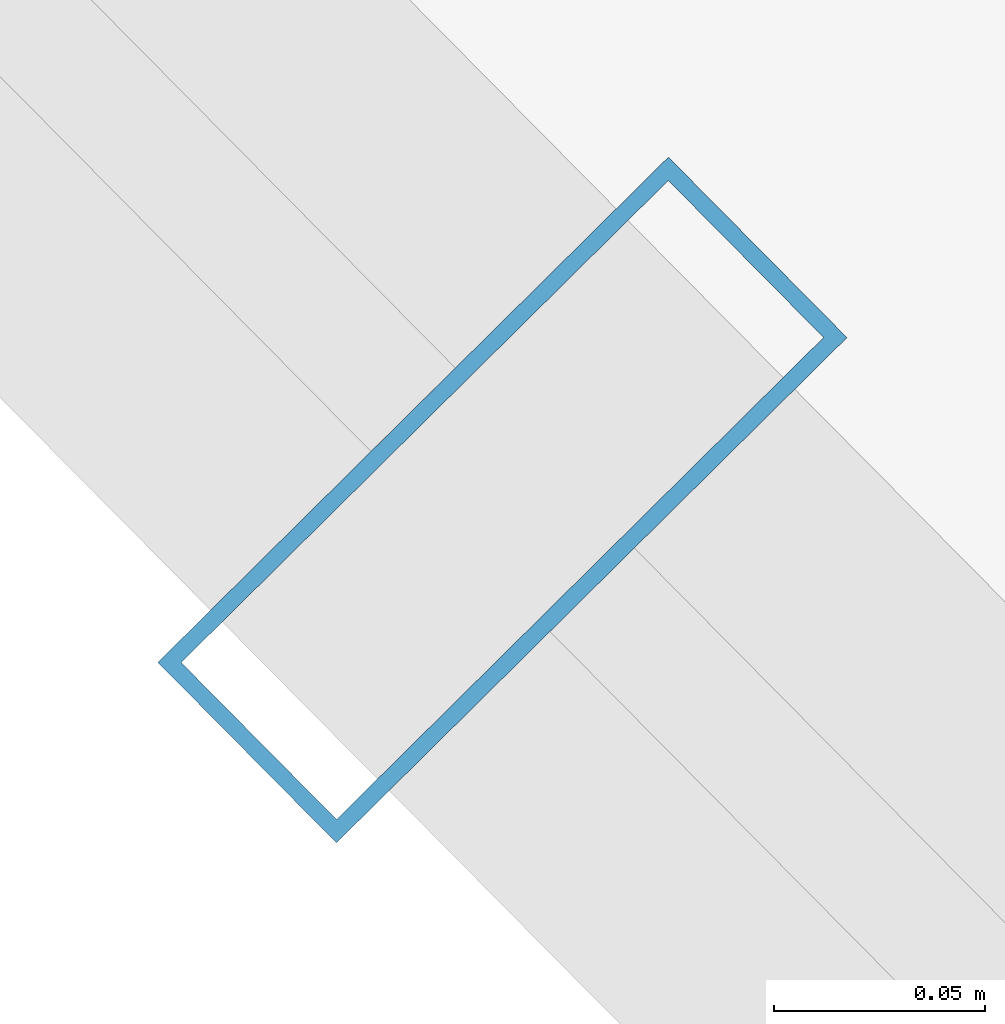
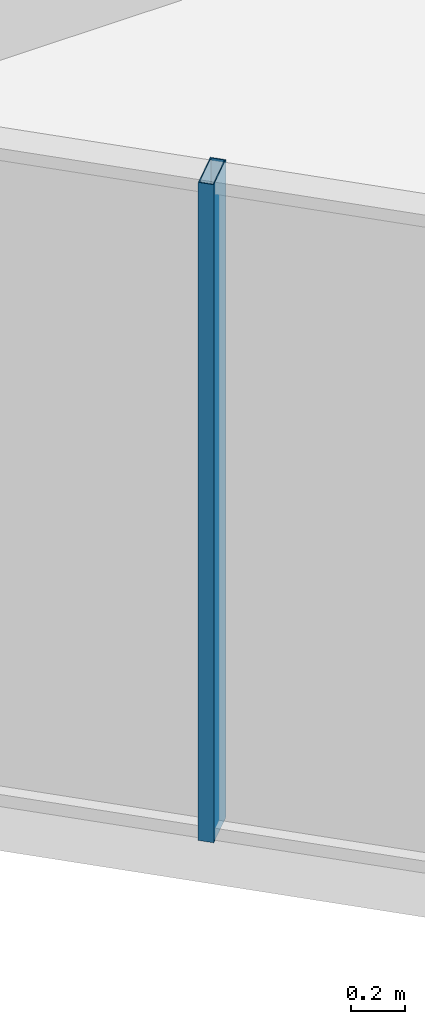
# One storey, part 2 of 39: 1 member, 1 element without a shape of its own.
"""IFC4 building model written with IfcOpenShell, lengths in metres."""

from ifc_helpers import new_model, si_unit, direction, frame, origin, origin_2d, place, context, subcontext, project, spatial, hollow_rectangle, extrude, source, transform, mapped, material, layer, layer_set, material_profile, profile_set, type_object, element, aggregate, save


model = new_model("IFC4")

# Units and contexts
model_context = context("Model", 3, precision=1e-05, world=origin(), true_north=direction((0.0, 1.0)))
body_context = subcontext(model_context, "Body", "Model", "MODEL_VIEW")
ifc_project = project(units=[si_unit("LENGTHUNIT", "METRE"), si_unit("AREAUNIT", "SQUARE_METRE"), si_unit("VOLUMEUNIT", "CUBIC_METRE"), si_unit("PLANEANGLEUNIT", "RADIAN"), si_unit("MASSUNIT", "GRAM", prefix="KILO")], contexts=[model_context])

# Site, building, storey
site_placement = place(None, origin())
site = spatial("IfcSite", under=ifc_project, at=site_placement, CompositionType="ELEMENT")
building_placement = place(site_placement, origin())
building = spatial("IfcBuilding", under=site, at=building_placement, Name="Veraguas Prism Commons", CompositionType="ELEMENT")
storey_placement = place(building_placement, frame((0.0, 0.0, 73.85009765625)))
storey = spatial("IfcBuildingStorey", under=building, at=storey_placement, Name="L20", CompositionType="ELEMENT", Elevation=73.85009765625)

# Curtain wall, member
ifc_material = material(Name="Anodised aluminium EN AW-6063 T6", Category="aluminium")
ifc_layer = layer(ifc_material, 0.169921875, Name="Unitised Flush Curtain Wall Zone 1", Category="aluminium")
ifc_layer_set = layer_set([ifc_layer], Name="Anodised aluminium EN AW-6063 T6")
curtain_wall_type = type_object("IfcCurtainWallType", Name="Unitised Flush Curtain Wall Zone 1", PredefinedType="NOTDEFINED", material=ifc_layer_set)
curtain_wall_placement = place(storey_placement, origin())
curtain_wall = element("IfcCurtainWall", 1, at=curtain_wall_placement, inside=storey, type_object=curtain_wall_type, Name="Tower Facade Curtain Wall L20-F4", PredefinedType="NOTDEFINED")
ifc_material_profile = material_profile(ifc_material, hollow_rectangle(XDim=0.06005859375, YDim=0.169921875, WallThickness=0.00390625, at=origin_2d()), Name="AL60X170X4")
ifc_profile_set = profile_set([ifc_material_profile], Name="Anodised aluminium EN AW-6063 T6")
member_type = type_object("IfcMemberType", Name="Curtain Wall Mullion Lower AL 60x170x4", PredefinedType="MULLION", material=ifc_profile_set)
shared_shape = source(origin(), body_context, "Body", "SweptSolid", [
    extrude(hollow_rectangle(XDim=0.06005859375, YDim=0.169921875, WallThickness=0.00390625, at=origin_2d()), origin(), (0.0, 0.0, 1.0), 3.0),
])
member_placement = place(storey_placement, frame((9.226318359375, 9.380126953125, 0.0), z_axis=(0.0, 0.0, 1.0), x_axis=(0.70339346223, -0.710800701527, 0.0)))
member = element("IfcMember", 2, at=member_placement, type_object=member_type, Name="CW-Z1 Mullion 3", PredefinedType="MULLION", context=body_context, shape_type="MappedRepresentation", body=[
    mapped(shared_shape, transform((0.0, 0.0, 0.0), scale=1.0)),
])
aggregate(curtain_wall, [member])

save(model, "model.ifc")
